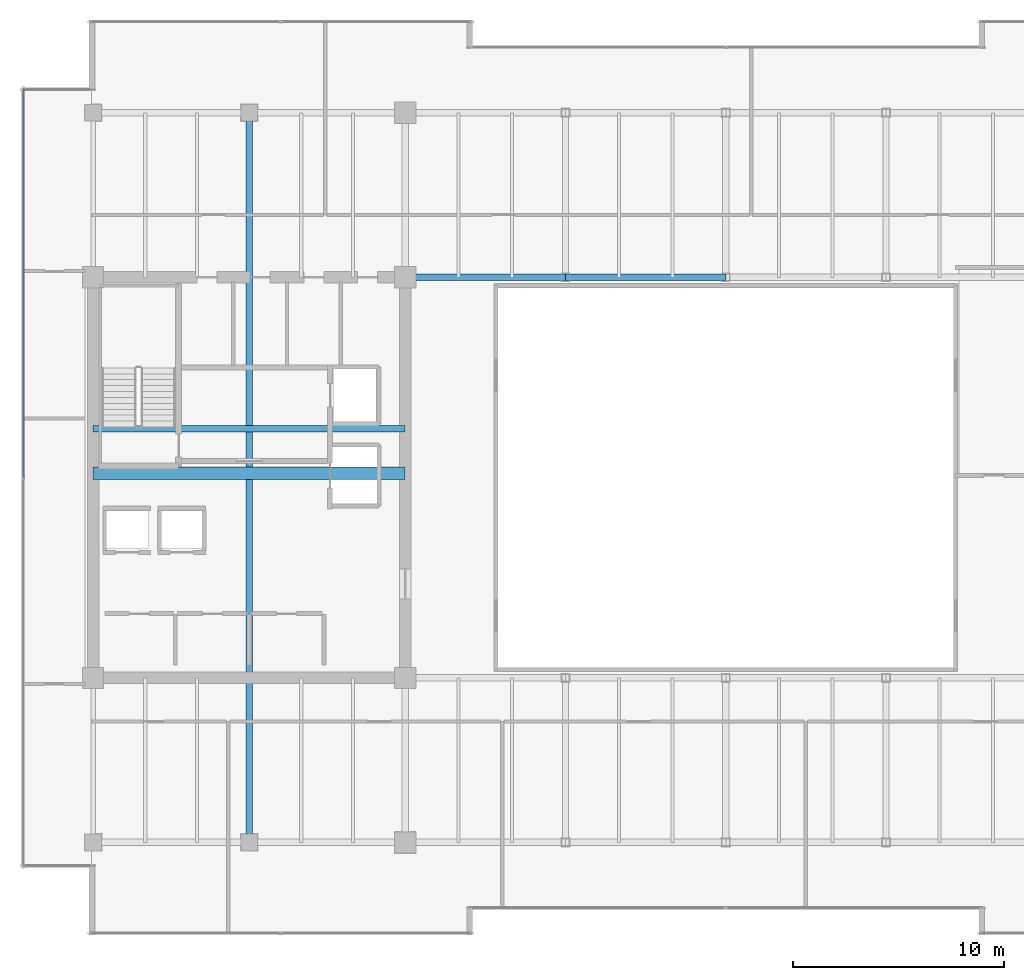
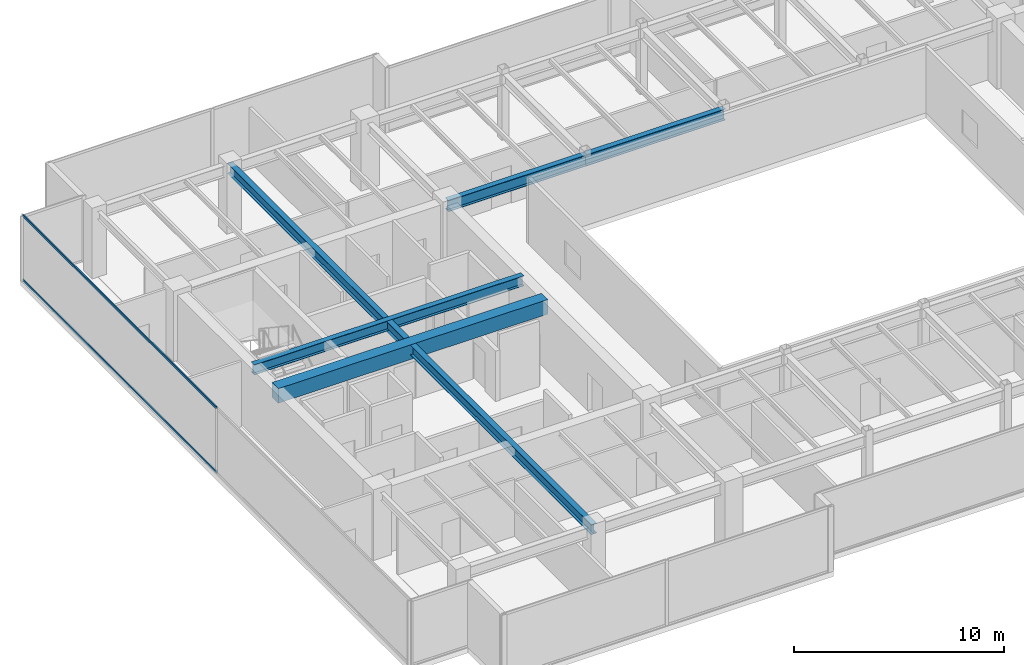
# One storey, part 10 of 35: 5 beams, 2 members, 1 element without a shape of its own.
"""IFC4 building model written with IfcOpenShell, lengths in metres."""

from ifc_helpers import new_model, si_unit, direction, frame, origin, origin_2d, place, context, subcontext, project, spatial, rectangle, hollow_rectangle, i_section, extrude, source, transform, mapped, material, layer, layer_set, material_profile, profile_set, type_object, type_shapes, element, aggregate, save


model = new_model("IFC4")

# Units and contexts
model_context = context("Model", 3, precision=1e-05, world=origin(), true_north=direction((0.0, 1.0)))
body_context = subcontext(model_context, "Body", "Model", "MODEL_VIEW")
ifc_project = project(units=[si_unit("LENGTHUNIT", "METRE"), si_unit("AREAUNIT", "SQUARE_METRE"), si_unit("VOLUMEUNIT", "CUBIC_METRE"), si_unit("PLANEANGLEUNIT", "RADIAN"), si_unit("MASSUNIT", "GRAM", prefix="KILO")], contexts=[model_context])

# Site, building, storey
site_placement = place(None, origin())
site = spatial("IfcSite", under=ifc_project, at=site_placement, CompositionType="ELEMENT")
building_placement = place(site_placement, origin())
building = spatial("IfcBuilding", under=site, at=building_placement, Name="Haelvirn Gate Laboratories", CompositionType="ELEMENT")
storey_placement = place(building_placement, frame((0.0, 0.0, 226.0)))
storey = spatial("IfcBuildingStorey", under=building, at=storey_placement, Name="L54", CompositionType="ELEMENT", Elevation=226.0)

# Beams
ifc_material_1 = material(Name="Steel SM355", Category="steel")
ifc_material_profile_1 = material_profile(ifc_material_1, i_section(OverallWidth=0.300048828125, OverallDepth=0.587890625, WebThickness=0.011962890625, FlangeThickness=0.02001953125, at=origin_2d()), Name="H-588x300x12x20")
ifc_profile_set_1 = profile_set([ifc_material_profile_1], Name="Steel SM355")
beam_type_1 = type_object("IfcBeamType", Name="BM-G-588", PredefinedType="BEAM", material=ifc_profile_set_1)
shared_shape_1 = source(origin(), body_context, "Body", "SweptSolid", [
    extrude(i_section(OverallWidth=0.300048828125, OverallDepth=0.587890625, WebThickness=0.011962890625, FlangeThickness=0.02001953125, at=origin_2d()), origin(), (0.0, 0.0, 1.0), 14.800048828125),
])
beam_1_placement = place(storey_placement, frame((7.39990234375, 26.6201171875, 3.506103515625), z_axis=(1.0, 0.0, 0.0), x_axis=(0.0, 1.0, 0.0)))
element("IfcBeam", 1, at=beam_1_placement, inside=storey, type_object=beam_type_1, Name="L54 Stair ST1 Landing Header", PredefinedType="BEAM", context=body_context, shape_type="MappedRepresentation", body=[
    mapped(shared_shape_1, transform((0.0, 0.0, 0.0), scale=1.0)),
])
shared_shape_2 = source(origin(), body_context, "Body", "SweptSolid", [
    extrude(i_section(OverallWidth=0.300048828125, OverallDepth=0.587890625, WebThickness=0.011962890625, FlangeThickness=0.02001953125, at=origin_2d()), origin(), (0.0, 0.0, 1.0), 34.60009765625),
])
type_shapes(beam_type_1, [shared_shape_1, shared_shape_2])
beam_2_placement = place(storey_placement, frame((14.800048828125, 7.0, 3.506103515625), z_axis=(0.0, 1.0, 0.0), x_axis=(-1.0, 0.0, 0.0)))
element("IfcBeam", 2, at=beam_2_placement, inside=storey, type_object=beam_type_1, Name="L54 Frame Girder X14.8 (7.0-41.6)", PredefinedType="BEAM", context=body_context, shape_type="MappedRepresentation", body=[
    mapped(shared_shape_2, transform((0.0, 0.0, 0.0), scale=1.0)),
])
ifc_material_2 = material(Name="Concrete C50/60", Category="concrete")
ifc_material_profile_2 = material_profile(ifc_material_2, rectangle(XDim=0.60009765625, YDim=0.85009765625, at=origin_2d()), Name="RCB-600x850")
ifc_profile_set_2 = profile_set([ifc_material_profile_2], Name="Concrete C50/60")
beam_type_2 = type_object("IfcBeamType", Name="BM-RCB-850", PredefinedType="LINTEL", material=ifc_profile_set_2)
shared_shape_3 = source(origin(), body_context, "Body", "SweptSolid", [
    extrude(rectangle(XDim=0.60009765625, YDim=0.85009765625, at=origin_2d()), origin(), (0.0, 0.0, 1.0), 14.800048828125),
])
type_shapes(beam_type_2, [shared_shape_3])
beam_3_placement = place(storey_placement, frame((7.39990234375, 24.5, 3.375), z_axis=(1.0, 0.0, 0.0), x_axis=(0.0, 1.0, 0.0)))
element("IfcBeam", 3, at=beam_3_placement, inside=storey, type_object=beam_type_2, Name="L54 West Core Coupling Beam", PredefinedType="LINTEL", context=body_context, shape_type="MappedRepresentation", body=[
    mapped(shared_shape_3, transform((0.0, 0.0, 0.0), scale=1.0)),
])
ifc_material_profile_3 = material_profile(ifc_material_1, i_section(OverallWidth=0.300048828125, OverallDepth=0.64990234375, WebThickness=0.012939453125, FlangeThickness=0.02197265625, at=origin_2d()), Name="H-650x300x13x22")
ifc_profile_set_3 = profile_set([ifc_material_profile_3], Name="Steel SM355")
beam_type_3 = type_object("IfcBeamType", Name="BM-G-650", PredefinedType="BEAM", material=ifc_profile_set_3)
shared_shape_4 = source(origin(), body_context, "Body", "SweptSolid", [
    extrude(i_section(OverallWidth=0.300048828125, OverallDepth=0.64990234375, WebThickness=0.012939453125, FlangeThickness=0.02197265625, at=origin_2d()), origin(), (0.0, 0.0, 1.0), 7.60009765625),
])
beam_4_placement = place(storey_placement, frame((22.199951171875, 33.800048828125, 3.47509765625), z_axis=(1.0, 0.0, 0.0), x_axis=(0.0, 1.0, 0.0)))
element("IfcBeam", 4, at=beam_4_placement, inside=storey, type_object=beam_type_3, Name="L54 Primary Girder Y33.8 (22.2-29.8)", PredefinedType="BEAM", context=body_context, shape_type="MappedRepresentation", body=[
    mapped(shared_shape_4, transform((0.0, 0.0, 0.0), scale=1.0)),
])
shared_shape_5 = source(origin(), body_context, "Body", "SweptSolid", [
    extrude(i_section(OverallWidth=0.300048828125, OverallDepth=0.64990234375, WebThickness=0.012939453125, FlangeThickness=0.02197265625, at=origin_2d()), origin(), (0.0, 0.0, 1.0), 7.599853515625),
])
type_shapes(beam_type_3, [shared_shape_4, shared_shape_5])
beam_5_placement = place(storey_placement, frame((29.800048828125, 33.800048828125, 3.47509765625), z_axis=(1.0, 0.0, 0.0), x_axis=(0.0, 1.0, 0.0)))
element("IfcBeam", 5, at=beam_5_placement, inside=storey, type_object=beam_type_3, Name="L54 Primary Girder Y33.8 (29.8-37.4)", PredefinedType="BEAM", context=body_context, shape_type="MappedRepresentation", body=[
    mapped(shared_shape_5, transform((0.0, 0.0, 0.0), scale=1.0)),
])

# Curtain wall, members
ifc_material_3 = material(Name="Anodised bronze unitised aluminium & triple low-E glass", Category="aluminium")
ifc_layer = layer(ifc_material_3, 0.176025390625, Name="CW-SYS-4")
ifc_layer_set = layer_set([ifc_layer], Name="Anodised bronze unitised aluminium & triple low-E glass")
curtain_wall_type = type_object("IfcCurtainWallType", Name="CW-SYS-4", PredefinedType="NOTDEFINED", material=ifc_layer_set)
curtain_wall_placement = place(storey_placement, origin())
curtain_wall = element("IfcCurtainWall", 6, at=curtain_wall_placement, inside=storey, type_object=curtain_wall_type, Name="L54 Unitised Curtain Wall CW-L54-P0-E17", PredefinedType="NOTDEFINED")
ifc_material_4 = material(Name="Extruded aluminium 6063-T6 (anodised bronze)", Category="aluminium")
ifc_material_profile_4 = material_profile(ifc_material_4, hollow_rectangle(XDim=0.06494140625, YDim=0.139892578125, WallThickness=0.00390625, at=origin_2d()), Name="CWT-140x65x4")
ifc_profile_set_4 = profile_set([ifc_material_profile_4], Name="Extruded aluminium 6063-T6 (anodised bronze)")
member_type = type_object("IfcMemberType", Name="CWT-T140", PredefinedType="USERDEFINED", material=ifc_profile_set_4)
shared_shape_6 = source(origin(), body_context, "Body", "SweptSolid", [
    extrude(hollow_rectangle(XDim=0.06494140625, YDim=0.139892578125, WallThickness=0.00390625, at=origin_2d()), origin(), (0.0, 0.0, 1.0), 18.39501953125),
])
type_shapes(member_type, [shared_shape_6])
member_1_placement = place(storey_placement, frame((4.10009765625, 42.72998046875, 0.032470703125), z_axis=(0.0, -1.0, 0.0), x_axis=(1.0, 0.0, 0.0)))
member_1 = element("IfcMember", 7, at=member_1_placement, type_object=member_type, Name="CW4 transom 1.1", ObjectType="TRANSOM", PredefinedType="USERDEFINED", context=body_context, shape_type="MappedRepresentation", body=[
    mapped(shared_shape_6, transform((0.0, 0.0, 0.0), scale=1.0)),
])
member_2_placement = place(storey_placement, frame((4.10009765625, 42.72998046875, 3.767578125), z_axis=(0.0, -1.0, 0.0), x_axis=(1.0, 0.0, 0.0)))
member_2 = element("IfcMember", 8, at=member_2_placement, type_object=member_type, Name="CW4 transom 1.2", ObjectType="TRANSOM", PredefinedType="USERDEFINED", context=body_context, shape_type="MappedRepresentation", body=[
    mapped(shared_shape_6, transform((0.0, 0.0, 0.0), scale=1.0)),
])
aggregate(curtain_wall, [member_1, member_2])

save(model, "model.ifc")
